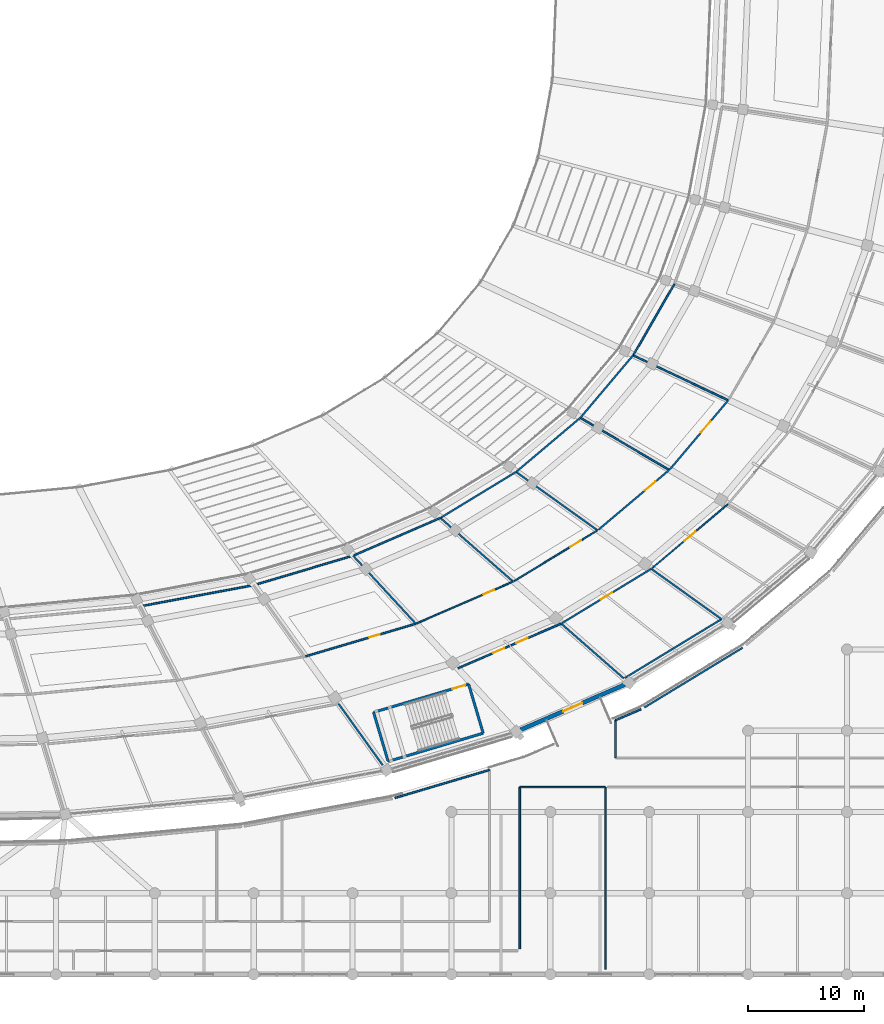
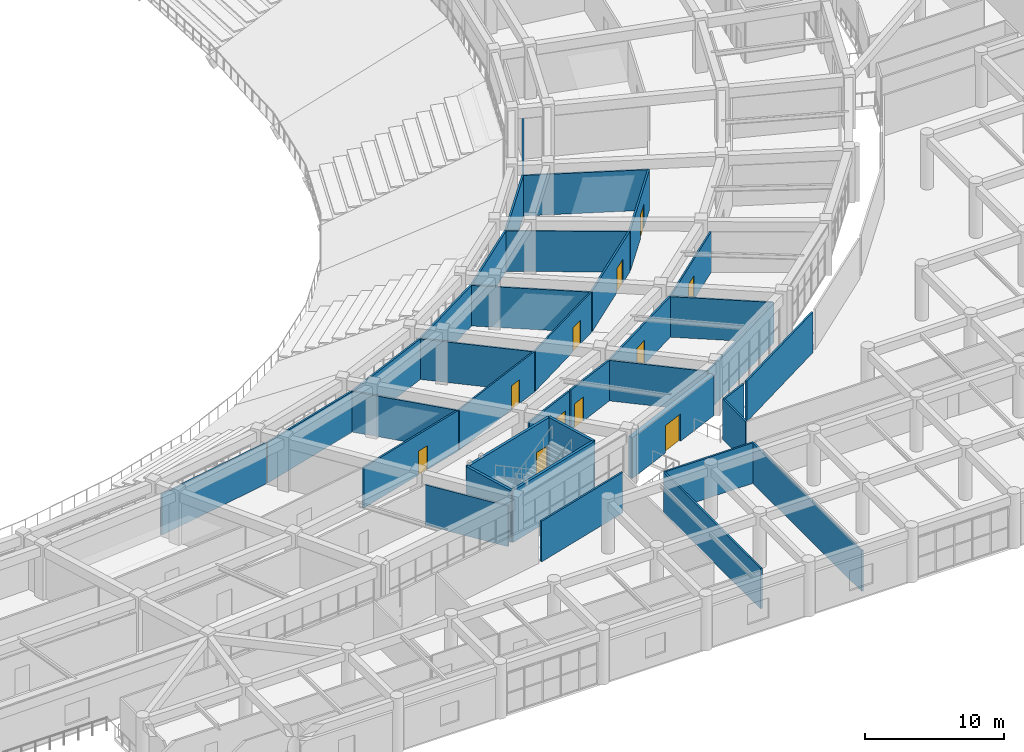
# One storey, part 103 of 152: 37 walls, 11 doors, 11 openings.
"""IFC4 building model written with IfcOpenShell, lengths in metres."""

from ifc_helpers import new_model, si_unit, direction, frame, frame_2d, origin, place, context, subcontext, project, spatial, rectangle, extrude, material, layer, layer_set, type_object, element, fill, save


model = new_model("IFC4")

# Units and contexts
model_context = context("Model", 3, precision=1e-05, world=origin(), true_north=direction((0.0, 1.0)))
body_context = subcontext(model_context, "Body", "Model", "MODEL_VIEW")
ifc_project = project(units=[si_unit("LENGTHUNIT", "METRE"), si_unit("AREAUNIT", "SQUARE_METRE"), si_unit("VOLUMEUNIT", "CUBIC_METRE"), si_unit("PLANEANGLEUNIT", "RADIAN"), si_unit("MASSUNIT", "GRAM", prefix="KILO")], contexts=[model_context])

# Site, building, storey
site_placement = place(None, origin())
site = spatial("IfcSite", under=ifc_project, at=site_placement, CompositionType="ELEMENT")
building_placement = place(site_placement, origin())
building = spatial("IfcBuilding", under=site, at=building_placement, Name="Mphavela Belvedere Stadium", CompositionType="ELEMENT")
storey_placement = place(building_placement, frame((0.0, 0.0, 5.39990234375)))
storey = spatial("IfcBuildingStorey", under=building, at=storey_placement, Name="L01", CompositionType="ELEMENT", Elevation=5.39990234375)

# Walls
ifc_material_1 = material(Name="Concrete C40/50", Category="concrete")
ifc_layer_1 = layer(ifc_material_1, 0.219970703125)
ifc_layer_set_1 = layer_set([ifc_layer_1], Name="Concrete C40/50")
wall_type_1 = type_object("IfcWallType", Name="WAL-CORE-SHEAR-220", PredefinedType="SHEAR", material=ifc_layer_set_1)
wall_1_placement = place(storey_placement, frame((173.10498046875, 20.784912109375, 0.0), z_axis=(0.0, 0.0, 1.0), x_axis=(-0.958675743706, -0.284500998997, 0.0)))
element("IfcWall", 1, at=wall_1_placement, inside=storey, type_object=wall_type_1, Name="Core P04 shear wall L01 rear", PredefinedType="SHEAR", context=body_context, shape_type="SweptSolid", body=[
    extrude(rectangle(XDim=8.540283203125, YDim=0.219970703125, at=frame_2d((4.27001953125, 0.0))), origin(), (0.0, 0.0, 1.0), 4.550048828125),
])
wall_2_placement = place(storey_placement, frame((171.85009765625, 25.0126953125, 0.0), z_axis=(0.0, 0.0, 1.0), x_axis=(0.284548207311, -0.958661732686, 0.0)))
element("IfcWall", 2, at=wall_2_placement, inside=storey, type_object=wall_type_1, Name="Core P04 shear wall L01 left", PredefinedType="SHEAR", context=body_context, shape_type="SweptSolid", body=[
    extrude(rectangle(XDim=4.41015625, YDim=0.219970703125, at=frame_2d((2.205078125, 0.0))), origin(), (0.0, 0.0, 1.0), 4.550048828125),
])
wall_3_placement = place(storey_placement, frame((163.6630859375, 22.5830078125, 0.0), z_axis=(0.0, 0.0, 1.0), x_axis=(0.284497328872, -0.958676832861, 0.0)))
element("IfcWall", 3, at=wall_3_placement, inside=storey, type_object=wall_type_1, Name="Core P04 shear wall L01 right", PredefinedType="SHEAR", context=body_context, shape_type="SweptSolid", body=[
    extrude(rectangle(XDim=4.409912109375, YDim=0.219970703125, at=frame_2d((2.205078125, 0.0))), origin(), (0.0, 0.0, 1.0), 4.550048828125),
])

# Wall, opening, door
wall_4_placement = place(storey_placement, frame((171.85009765625, 25.0126953125, 0.0), z_axis=(0.0, 0.0, 1.0), x_axis=(-0.95867342973, -0.284508796227, 0.0)))
wall_4 = element("IfcWall", 4, at=wall_4_placement, inside=storey, type_object=wall_type_1, Name="Core P04 shear wall L01 front", PredefinedType="SHEAR", context=body_context, shape_type="SweptSolid", body=[
    extrude(rectangle(XDim=8.5400390625, YDim=0.219970703125, at=frame_2d((4.27001953125, 0.0))), origin(), (0.0, 0.0, 1.0), 4.550048828125),
])
opening_1_placement = place(wall_4_placement, frame((0.300048828125, 0.0, 0.0)))
opening_1 = element("IfcOpeningElement", 5, at=opening_1_placement, cuts=wall_4, Name="Opening SD-083", PredefinedType="OPENING", context=body_context, shape_type="SweptSolid", body=[
    extrude(rectangle(XDim=1.14990234375, YDim=2.14990234375, at=frame_2d((0.574951171875, 1.074951171875))), frame((0.0, 0.1201171875, 0.0), z_axis=(0.0, -1.0, 0.0), x_axis=(1.0, 0.0, 0.0)), (0.0, 0.0, 1.0), 0.239990234375),
])
ifc_material_2 = material(Name="Steel acoustic fire-resisting stair doorset", Category="steel")
door_type_1 = type_object("IfcDoorType", Name="DR-STAIR-FIRE-1150", OperationType="NOTDEFINED", PredefinedType="DOOR", material=ifc_material_2)
door_1_placement = place(opening_1_placement, origin())
door_1 = element("IfcDoor", 6, at=door_1_placement, inside=storey, type_object=door_type_1, Name="Escape stair fire door P04 L01", OperationType="SINGLE_SWING_LEFT", OverallHeight=2.14990234375, OverallWidth=1.14990234375, PredefinedType="DOOR", context=body_context, shape_type="SweptSolid", body=[
    extrude(rectangle(XDim=1.14990234375, YDim=2.14990234375, at=frame_2d((0.574951171875, 1.074951171875))), frame((0.0, 0.02490234375, 0.0), z_axis=(0.0, -1.0, 0.0), x_axis=(1.0, 0.0, 0.0)), (0.0, 0.0, 1.0), 0.050048828125),
])
fill(opening_1, door_1)

ifc_material_3 = material(Name="Honed ashlar limestone masonry", Category="masonry")
ifc_layer_2 = layer(ifc_material_3, 0.35009765625)
ifc_layer_set_2 = layer_set([ifc_layer_2], Name="Honed ashlar limestone masonry")
wall_type_2 = type_object("IfcWallType", Name="WAL-EXT-ASHLAR-350", PredefinedType="STANDARD", material=ifc_layer_set_2)
wall_5_placement = place(storey_placement, frame((185.30810546875, 24.970947265625, 0.0), z_axis=(0.0, 0.0, 1.0), x_axis=(-0.91749374913, -0.397750198375, 0.0)))
wall_5 = element("IfcWall", 7, at=wall_5_placement, inside=storey, type_object=wall_type_2, Name="Classical link portal wall L01-41", PredefinedType="STANDARD", context=body_context, shape_type="SweptSolid", body=[
    extrude(rectangle(XDim=9.790283203125, YDim=0.35009765625, at=frame_2d((4.89501953125, 0.0))), origin(), (0.0, 0.0, 1.0), 3.570068359375),
])
opening_2_placement = place(wall_5_placement, frame((3.9951171875, 0.0, 0.0)))
opening_2 = element("IfcOpeningElement", 8, at=opening_2_placement, cuts=wall_5, Name="Opening ID-9140", PredefinedType="OPENING", context=body_context, shape_type="SweptSolid", body=[
    extrude(rectangle(XDim=1.800048828125, YDim=2.39990234375, at=frame_2d((0.89990234375, 1.199951171875))), frame((0.0, 0.18505859375, 0.0), z_axis=(0.0, -1.0, 0.0), x_axis=(1.0, 0.0, 0.0)), (0.0, 0.0, 1.0), 0.3701171875),
])
ifc_material_4 = material(Name="Glazed bronze-anodised steel exit doorset", Category="steel")
door_type_2 = type_object("IfcDoorType", Name="DR-EXT-01", OperationType="NOTDEFINED", PredefinedType="DOOR", material=ifc_material_4)
door_2_placement = place(opening_2_placement, origin())
door_2 = element("IfcDoor", 9, at=door_2_placement, inside=storey, type_object=door_type_2, Name="Wing promenade link doorset L01-41", OperationType="DOUBLE_DOOR_SINGLE_SWING", OverallHeight=2.39990234375, OverallWidth=1.800048828125, PredefinedType="DOOR", context=body_context, shape_type="SweptSolid", body=[
    extrude(rectangle(XDim=1.800048828125, YDim=2.39990234375, at=frame_2d((0.89990234375, 1.199951171875))), frame((0.0, 0.02490234375, 0.0), z_axis=(0.0, -1.0, 0.0), x_axis=(1.0, 0.0, 0.0)), (0.0, 0.0, 1.0), 0.050048828125),
])
fill(opening_2, door_2)

ifc_material_5 = material(Name="Moisture-resistant sanitary partition assembly")
ifc_layer_3 = layer(ifc_material_5, 0.125)
ifc_layer_set_3 = layer_set([ifc_layer_3], Name="Moisture-resistant sanitary partition assembly")
wall_type_3 = type_object("IfcWallType", Name="WAL-PART-125", PredefinedType="PARTITIONING", material=ifc_layer_set_3)
wall_6_placement = place(storey_placement, frame((175.684814453125, 33.84619140625, 0.0), z_axis=(0.0, 0.0, 1.0), x_axis=(-0.917494590455, -0.397748257677, 0.0)))
wall_6 = element("IfcWall", 10, at=wall_6_placement, inside=storey, type_object=wall_type_3, Name="Room L01-139 corridor partition", PredefinedType="PARTITIONING", context=body_context, shape_type="SweptSolid", body=[
    extrude(rectangle(XDim=9.04931640625, YDim=0.125, at=frame_2d((4.524658203125, 0.0))), origin(), (0.0, 0.0, 1.0), 3.550048828125),
])
opening_3_placement = place(wall_6_placement, frame((1.805908203125, 0.0, 0.0)))
opening_3 = element("IfcOpeningElement", 11, at=opening_3_placement, cuts=wall_6, Name="Opening ID-147", PredefinedType="OPENING", context=body_context, shape_type="SweptSolid", body=[
    extrude(rectangle(XDim=0.97998046875, YDim=2.10009765625, at=frame_2d((0.489990234375, 1.050048828125))), frame((0.0, 0.072509765625, 0.0), z_axis=(0.0, -1.0, 0.0), x_axis=(1.0, 0.0, 0.0)), (0.0, 0.0, 1.0), 0.14501953125),
])
ifc_material_6 = material(Name="Hardwood acoustic timber doorset", Category="wood")
door_type_3 = type_object("IfcDoorType", Name="DR-INT-03", OperationType="NOTDEFINED", PredefinedType="DOOR", material=ifc_material_6)
door_3_placement = place(opening_3_placement, origin())
door_3 = element("IfcDoor", 12, at=door_3_placement, inside=storey, type_object=door_type_3, Name="Room L01-139 entrance door ID-147", OperationType="SINGLE_SWING_LEFT", OverallHeight=2.10009765625, OverallWidth=0.97998046875, PredefinedType="DOOR", context=body_context, shape_type="SweptSolid", body=[
    extrude(rectangle(XDim=0.97998046875, YDim=2.10009765625, at=frame_2d((0.489990234375, 1.050048828125))), frame((0.0, 0.02490234375, 0.0), z_axis=(0.0, -1.0, 0.0), x_axis=(1.0, 0.0, 0.0)), (0.0, 0.0, 1.0), 0.050048828125),
])
fill(opening_3, door_3)

wall_7_placement = place(storey_placement, frame((182.95654296875, 38.26025390625, 0.0), z_axis=(0.0, 0.0, 1.0), x_axis=(-0.854330104408, -0.519730769439, 0.0)))
wall_7 = element("IfcWall", 13, at=wall_7_placement, inside=storey, type_object=wall_type_3, Name="Room L01-143 corridor partition", PredefinedType="PARTITIONING", context=body_context, shape_type="SweptSolid", body=[
    extrude(rectangle(XDim=8.420166015625, YDim=0.125, at=frame_2d((4.2099609375, 0.0))), origin(), (0.0, 0.0, 1.0), 3.550048828125),
])
opening_4_placement = place(wall_7_placement, frame((1.656005859375, 0.0, 0.0)))
opening_4 = element("IfcOpeningElement", 14, at=opening_4_placement, cuts=wall_7, Name="Opening ID-150", PredefinedType="OPENING", context=body_context, shape_type="SweptSolid", body=[
    extrude(rectangle(XDim=1.10009765625, YDim=2.10009765625, at=frame_2d((0.550048828125, 1.050048828125))), frame((0.0, 0.072509765625, 0.0), z_axis=(0.0, -1.0, 0.0), x_axis=(1.0, 0.0, 0.0)), (0.0, 0.0, 1.0), 0.14501953125),
])
ifc_material_7 = material(Name="Hardwood acoustic timber doorset", Category="wood")
door_type_4 = type_object("IfcDoorType", Name="DR-INT-06", OperationType="NOTDEFINED", PredefinedType="DOOR", material=ifc_material_7)
door_4_placement = place(opening_4_placement, origin())
door_4 = element("IfcDoor", 15, at=door_4_placement, inside=storey, type_object=door_type_4, Name="Room L01-143 entrance door ID-150", OperationType="SINGLE_SWING_RIGHT", OverallHeight=2.10009765625, OverallWidth=1.10009765625, PredefinedType="DOOR", context=body_context, shape_type="SweptSolid", body=[
    extrude(rectangle(XDim=1.10009765625, YDim=2.10009765625, at=frame_2d((0.550048828125, 1.050048828125))), frame((0.0, 0.02490234375, 0.0), z_axis=(0.0, -1.0, 0.0), x_axis=(1.0, 0.0, 0.0)), (0.0, 0.0, 1.0), 0.050048828125),
])
fill(opening_4, door_4)

wall_8_placement = place(storey_placement, frame((187.649169921875, 34.996337890625, 0.0), z_axis=(0.0, 0.0, 1.0), x_axis=(0.764257572309, 0.644911128117, 0.0)))
wall_8 = element("IfcWall", 16, at=wall_8_placement, inside=storey, type_object=wall_type_3, Name="Room L01-147 corridor partition", PredefinedType="PARTITIONING", context=body_context, shape_type="SweptSolid", body=[
    extrude(rectangle(XDim=8.53857421875, YDim=0.125, at=frame_2d((4.269287109375, 0.0))), origin(), (0.0, 0.0, 1.0), 3.550048828125),
])
opening_5_placement = place(wall_8_placement, frame((3.6591796875, 0.0, 0.0)))
opening_5 = element("IfcOpeningElement", 17, at=opening_5_placement, cuts=wall_8, Name="Opening ID-153", PredefinedType="OPENING", context=body_context, shape_type="SweptSolid", body=[
    extrude(rectangle(XDim=1.219970703125, YDim=2.10009765625, at=frame_2d((0.60986328125, 1.050048828125))), frame((0.0, 0.072509765625, 0.0), z_axis=(0.0, -1.0, 0.0), x_axis=(1.0, 0.0, 0.0)), (0.0, 0.0, 1.0), 0.14501953125),
])
ifc_material_8 = material(Name="Hardwood acoustic timber doorset", Category="wood")
door_type_5 = type_object("IfcDoorType", Name="DR-INT-09", OperationType="NOTDEFINED", PredefinedType="DOOR", material=ifc_material_8)
door_5_placement = place(opening_5_placement, origin())
door_5 = element("IfcDoor", 18, at=door_5_placement, inside=storey, type_object=door_type_5, Name="Room L01-147 entrance door ID-153", OperationType="SINGLE_SWING_LEFT", OverallHeight=2.10009765625, OverallWidth=1.219970703125, PredefinedType="DOOR", context=body_context, shape_type="SweptSolid", body=[
    extrude(rectangle(XDim=1.219970703125, YDim=2.10009765625, at=frame_2d((0.60986328125, 1.050048828125))), frame((0.0, 0.02490234375, 0.0), z_axis=(0.0, -1.0, 0.0), x_axis=(1.0, 0.0, 0.0)), (0.0, 0.0, 1.0), 0.050048828125),
])
fill(opening_5, door_5)

ifc_material_9 = material(Name="Acoustic gypsum stud partition assembly")
ifc_layer_4 = layer(ifc_material_9, 0.14990234375)
ifc_layer_set_4 = layer_set([ifc_layer_4], Name="Acoustic gypsum stud partition assembly")
wall_type_4 = type_object("IfcWallType", Name="WAL-PART-150", PredefinedType="PARTITIONING", material=ifc_layer_set_4)
wall_9_placement = place(storey_placement, frame((167.298828125, 30.218994140625, 0.0), z_axis=(0.0, 0.0, 1.0), x_axis=(-0.958655809656, -0.284568161629, 0.0)))
wall_9 = element("IfcWall", 19, at=wall_9_placement, inside=storey, type_object=wall_type_4, Name="Room L01-137 corridor partition", PredefinedType="PARTITIONING", context=body_context, shape_type="SweptSolid", body=[
    extrude(rectangle(XDim=9.89111328125, YDim=0.14990234375, at=frame_2d((4.945556640625, 0.0))), origin(), (0.0, 0.0, 1.0), 3.550048828125),
])
opening_6_placement = place(wall_9_placement, frame((3.22900390625, 0.0, 0.0)))
opening_6 = element("IfcOpeningElement", 20, at=opening_6_placement, cuts=wall_9, Name="Opening ID-146", PredefinedType="OPENING", context=body_context, shape_type="SweptSolid", body=[
    extrude(rectangle(XDim=0.93994140625, YDim=2.10009765625, at=frame_2d((0.469970703125, 1.050048828125))), frame((0.0, 0.0849609375, 0.0), z_axis=(0.0, -1.0, 0.0), x_axis=(1.0, 0.0, 0.0)), (0.0, 0.0, 1.0), 0.169921875),
])
ifc_material_10 = material(Name="Hardwood acoustic timber doorset", Category="wood")
door_type_6 = type_object("IfcDoorType", Name="DR-INT-02", OperationType="NOTDEFINED", PredefinedType="DOOR", material=ifc_material_10)
door_6_placement = place(opening_6_placement, origin())
door_6 = element("IfcDoor", 21, at=door_6_placement, inside=storey, type_object=door_type_6, Name="Room L01-137 entrance door ID-146", OperationType="SINGLE_SWING_RIGHT", OverallHeight=2.10009765625, OverallWidth=0.93994140625, PredefinedType="DOOR", context=body_context, shape_type="SweptSolid", body=[
    extrude(rectangle(XDim=0.93994140625, YDim=2.10009765625, at=frame_2d((0.469970703125, 1.050048828125))), frame((0.0, 0.02490234375, 0.0), z_axis=(0.0, -1.0, 0.0), x_axis=(1.0, 0.0, 0.0)), (0.0, 0.0, 1.0), 0.050048828125),
])
fill(opening_6, door_6)

wall_10_placement = place(storey_placement, frame((170.9462890625, 26.38134765625, 0.0), z_axis=(0.0, 0.0, 1.0), x_axis=(0.917504308061, 0.397725841114, 0.0)))
wall_10 = element("IfcWall", 22, at=wall_10_placement, inside=storey, type_object=wall_type_4, Name="Room L01-140 corridor partition", PredefinedType="PARTITIONING", context=body_context, shape_type="SweptSolid", body=[
    extrude(rectangle(XDim=4.802734375, YDim=0.14990234375, at=frame_2d((2.4013671875, 0.0))), origin(), (0.0, 0.0, 1.0), 3.550048828125),
])
opening_7_placement = place(wall_10_placement, frame((3.3056640625, 0.0, 0.0)))
opening_7 = element("IfcOpeningElement", 23, at=opening_7_placement, cuts=wall_10, Name="Opening ID-148", PredefinedType="OPENING", context=body_context, shape_type="SweptSolid", body=[
    extrude(rectangle(XDim=1.02001953125, YDim=2.10009765625, at=frame_2d((0.510009765625, 1.050048828125))), frame((0.0, 0.0849609375, 0.0), z_axis=(0.0, -1.0, 0.0), x_axis=(1.0, 0.0, 0.0)), (0.0, 0.0, 1.0), 0.169921875),
])
ifc_material_11 = material(Name="Hardwood acoustic timber doorset", Category="wood")
door_type_7 = type_object("IfcDoorType", Name="DR-INT-04", OperationType="NOTDEFINED", PredefinedType="DOOR", material=ifc_material_11)
door_7_placement = place(opening_7_placement, origin())
door_7 = element("IfcDoor", 24, at=door_7_placement, inside=storey, type_object=door_type_7, Name="Room L01-140 entrance door ID-148", OperationType="SINGLE_SWING_RIGHT", OverallHeight=2.10009765625, OverallWidth=1.02001953125, PredefinedType="DOOR", context=body_context, shape_type="SweptSolid", body=[
    extrude(rectangle(XDim=1.02001953125, YDim=2.10009765625, at=frame_2d((0.510009765625, 1.050048828125))), frame((0.0, 0.02490234375, 0.0), z_axis=(0.0, -1.0, 0.0), x_axis=(1.0, 0.0, 0.0)), (0.0, 0.0, 1.0), 0.050048828125),
])
fill(opening_7, door_7)

wall_11_placement = place(storey_placement, frame((175.5126953125, 28.36083984375, 0.0), z_axis=(0.0, 0.0, 1.0), x_axis=(0.917515143301, 0.397700844622, 0.0)))
wall_11 = element("IfcWall", 25, at=wall_11_placement, inside=storey, type_object=wall_type_4, Name="Room L01-141 corridor partition", PredefinedType="PARTITIONING", context=body_context, shape_type="SweptSolid", body=[
    extrude(rectangle(XDim=4.6943359375, YDim=0.14990234375, at=frame_2d((2.34716796875, 0.0))), origin(), (0.0, 0.0, 1.0), 3.550048828125),
])
opening_8_placement = place(wall_11_placement, frame((0.4697265625, 0.0, 0.0)))
opening_8 = element("IfcOpeningElement", 26, at=opening_8_placement, cuts=wall_11, Name="Opening ID-149", PredefinedType="OPENING", context=body_context, shape_type="SweptSolid", body=[
    extrude(rectangle(XDim=1.06005859375, YDim=2.10009765625, at=frame_2d((0.530029296875, 1.050048828125))), frame((0.0, 0.0849609375, 0.0), z_axis=(0.0, -1.0, 0.0), x_axis=(1.0, 0.0, 0.0)), (0.0, 0.0, 1.0), 0.169921875),
])
ifc_material_12 = material(Name="Hardwood acoustic timber doorset", Category="wood")
door_type_8 = type_object("IfcDoorType", Name="DR-INT-05", OperationType="NOTDEFINED", PredefinedType="DOOR", material=ifc_material_12)
door_8_placement = place(opening_8_placement, origin())
door_8 = element("IfcDoor", 27, at=door_8_placement, inside=storey, type_object=door_type_8, Name="Room L01-141 entrance door ID-149", OperationType="SINGLE_SWING_LEFT", OverallHeight=2.10009765625, OverallWidth=1.06005859375, PredefinedType="DOOR", context=body_context, shape_type="SweptSolid", body=[
    extrude(rectangle(XDim=1.06005859375, YDim=2.10009765625, at=frame_2d((0.530029296875, 1.050048828125))), frame((0.0, 0.02490234375, 0.0), z_axis=(0.0, -1.0, 0.0), x_axis=(1.0, 0.0, 0.0)), (0.0, 0.0, 1.0), 0.050048828125),
])
fill(opening_8, door_8)

wall_12_placement = place(storey_placement, frame((179.89453125, 30.268798828125, 0.0), z_axis=(0.0, 0.0, 1.0), x_axis=(0.854321649351, 0.519744667554, 0.0)))
wall_12 = element("IfcWall", 28, at=wall_12_placement, inside=storey, type_object=wall_type_4, Name="Room L01-144 corridor partition", PredefinedType="PARTITIONING", context=body_context, shape_type="SweptSolid", body=[
    extrude(rectangle(XDim=8.99853515625, YDim=0.14990234375, at=frame_2d((4.499267578125, 0.0))), origin(), (0.0, 0.0, 1.0), 3.550048828125),
])
opening_9_placement = place(wall_12_placement, frame((3.92919921875, 0.0, 0.0)))
opening_9 = element("IfcOpeningElement", 29, at=opening_9_placement, cuts=wall_12, Name="Opening ID-151", PredefinedType="OPENING", context=body_context, shape_type="SweptSolid", body=[
    extrude(rectangle(XDim=1.139892578125, YDim=2.10009765625, at=frame_2d((0.56982421875, 1.050048828125))), frame((0.0, 0.0849609375, 0.0), z_axis=(0.0, -1.0, 0.0), x_axis=(1.0, 0.0, 0.0)), (0.0, 0.0, 1.0), 0.169921875),
])
ifc_material_13 = material(Name="Hardwood acoustic timber doorset", Category="wood")
door_type_9 = type_object("IfcDoorType", Name="DR-INT-07", OperationType="NOTDEFINED", PredefinedType="DOOR", material=ifc_material_13)
door_9_placement = place(opening_9_placement, origin())
door_9 = element("IfcDoor", 30, at=door_9_placement, inside=storey, type_object=door_type_9, Name="Room L01-144 entrance door ID-151", OperationType="SINGLE_SWING_LEFT", OverallHeight=2.10009765625, OverallWidth=1.139892578125, PredefinedType="DOOR", context=body_context, shape_type="SweptSolid", body=[
    extrude(rectangle(XDim=1.139892578125, YDim=2.10009765625, at=frame_2d((0.56982421875, 1.050048828125))), frame((0.0, 0.02490234375, 0.0), z_axis=(0.0, -1.0, 0.0), x_axis=(1.0, 0.0, 0.0)), (0.0, 0.0, 1.0), 0.050048828125),
])
fill(opening_9, door_9)

wall_13_placement = place(storey_placement, frame((189.133056640625, 43.460693359375, 0.0), z_axis=(0.0, 0.0, 1.0), x_axis=(-0.764249122867, -0.644921141068, 0.0)))
wall_13 = element("IfcWall", 31, at=wall_13_placement, inside=storey, type_object=wall_type_4, Name="Room L01-146 corridor partition", PredefinedType="PARTITIONING", context=body_context, shape_type="SweptSolid", body=[
    extrude(rectangle(XDim=7.989501953125, YDim=0.14990234375, at=frame_2d((3.99462890625, 0.0))), origin(), (0.0, 0.0, 1.0), 3.550048828125),
])
opening_10_placement = place(wall_13_placement, frame((1.553955078125, 0.0, 0.0)))
opening_10 = element("IfcOpeningElement", 32, at=opening_10_placement, cuts=wall_13, Name="Opening ID-152", PredefinedType="OPENING", context=body_context, shape_type="SweptSolid", body=[
    extrude(rectangle(XDim=1.179931640625, YDim=2.10009765625, at=frame_2d((0.58984375, 1.050048828125))), frame((0.0, 0.0849609375, 0.0), z_axis=(0.0, -1.0, 0.0), x_axis=(1.0, 0.0, 0.0)), (0.0, 0.0, 1.0), 0.169921875),
])
ifc_material_14 = material(Name="Hardwood acoustic timber doorset", Category="wood")
door_type_10 = type_object("IfcDoorType", Name="DR-INT-08", OperationType="NOTDEFINED", PredefinedType="DOOR", material=ifc_material_14)
door_10_placement = place(opening_10_placement, origin())
door_10 = element("IfcDoor", 33, at=door_10_placement, inside=storey, type_object=door_type_10, Name="Room L01-146 entrance door ID-152", OperationType="SINGLE_SWING_RIGHT", OverallHeight=2.10009765625, OverallWidth=1.179931640625, PredefinedType="DOOR", context=body_context, shape_type="SweptSolid", body=[
    extrude(rectangle(XDim=1.179931640625, YDim=2.10009765625, at=frame_2d((0.58984375, 1.050048828125))), frame((0.0, 0.02490234375, 0.0), z_axis=(0.0, -1.0, 0.0), x_axis=(1.0, 0.0, 0.0)), (0.0, 0.0, 1.0), 0.050048828125),
])
fill(opening_10, door_10)

wall_14_placement = place(storey_placement, frame((194.212158203125, 49.4619140625, 0.0), z_axis=(0.0, 0.0, 1.0), x_axis=(-0.645180817826, -0.764029915847, 0.0)))
wall_14 = element("IfcWall", 34, at=wall_14_placement, inside=storey, type_object=wall_type_4, Name="Room L01-149 corridor partition", PredefinedType="PARTITIONING", context=body_context, shape_type="SweptSolid", body=[
    extrude(rectangle(XDim=7.779296875, YDim=0.14990234375, at=frame_2d((3.8896484375, 0.0))), origin(), (0.0, 0.0, 1.0), 3.550048828125),
])
opening_11_placement = place(wall_14_placement, frame((2.377685546875, 0.0, 0.0)))
opening_11 = element("IfcOpeningElement", 35, at=opening_11_placement, cuts=wall_14, Name="Opening ID-154", PredefinedType="OPENING", context=body_context, shape_type="SweptSolid", body=[
    extrude(rectangle(XDim=1.260009765625, YDim=2.10009765625, at=frame_2d((0.6298828125, 1.050048828125))), frame((0.0, 0.0849609375, 0.0), z_axis=(0.0, -1.0, 0.0), x_axis=(1.0, 0.0, 0.0)), (0.0, 0.0, 1.0), 0.169921875),
])
ifc_material_15 = material(Name="Hardwood acoustic timber doorset", Category="wood")
door_type_11 = type_object("IfcDoorType", Name="DR-INT-10", OperationType="NOTDEFINED", PredefinedType="DOOR", material=ifc_material_15)
door_11_placement = place(opening_11_placement, origin())
door_11 = element("IfcDoor", 36, at=door_11_placement, inside=storey, type_object=door_type_11, Name="Room L01-149 entrance door ID-154", OperationType="SINGLE_SWING_RIGHT", OverallHeight=2.10009765625, OverallWidth=1.260009765625, PredefinedType="DOOR", context=body_context, shape_type="SweptSolid", body=[
    extrude(rectangle(XDim=1.260009765625, YDim=2.10009765625, at=frame_2d((0.6298828125, 1.050048828125))), frame((0.0, 0.02490234375, 0.0), z_axis=(0.0, -1.0, 0.0), x_axis=(1.0, 0.0, 0.0)), (0.0, 0.0, 1.0), 0.050048828125),
])
fill(opening_11, door_11)

# Walls
wall_15_placement = place(storey_placement, frame((143.599365234375, 31.72314453125, 0.0), z_axis=(0.0, 0.0, 1.0), x_axis=(0.98309647403, 0.183088292225, 0.0)))
element("IfcWall", 37, at=wall_15_placement, inside=storey, type_object=wall_type_4, Name="Room divider partition L01-0255", PredefinedType="PARTITIONING", context=body_context, shape_type="SweptSolid", body=[
    extrude(rectangle(XDim=9.8876953125, YDim=0.14990234375, at=frame_2d((4.94384765625, 0.0))), origin(), (0.0, 0.0, 1.0), 3.550048828125),
])
wall_16_placement = place(storey_placement, frame((160.64892578125, 23.3203125, 0.0), z_axis=(0.0, 0.0, 1.0), x_axis=(0.58306104439, -0.812428346696, 0.0)))
element("IfcWall", 38, at=wall_16_placement, inside=storey, type_object=wall_type_4, Name="Room divider partition L01-0257", PredefinedType="PARTITIONING", context=body_context, shape_type="SweptSolid", body=[
    extrude(rectangle(XDim=6.51953125, YDim=0.14990234375, at=frame_2d((3.259765625, 0.0))), origin(), (0.0, 0.0, 1.0), 3.550048828125),
])
wall_17_placement = place(storey_placement, frame((153.40283203125, 33.55517578125, 0.0), z_axis=(0.0, 0.0, 1.0), x_axis=(0.958654852333, 0.284571386646, 0.0)))
element("IfcWall", 39, at=wall_17_placement, inside=storey, type_object=wall_type_4, Name="Room divider partition L01-0258", PredefinedType="PARTITIONING", context=body_context, shape_type="SweptSolid", body=[
    extrude(rectangle(XDim=8.861572265625, YDim=0.14990234375, at=frame_2d((4.4306640625, 0.0))), origin(), (0.0, 0.0, 1.0), 3.550048828125),
])
wall_18_placement = place(storey_placement, frame((161.89794921875, 36.076904296875, 0.0), z_axis=(0.0, 0.0, 1.0), x_axis=(0.677844741579, -0.735205077726, 0.0)))
element("IfcWall", 40, at=wall_18_placement, inside=storey, type_object=wall_type_4, Name="Room divider partition L01-0259", PredefinedType="PARTITIONING", context=body_context, shape_type="SweptSolid", body=[
    extrude(rectangle(XDim=7.9677734375, YDim=0.14990234375, at=frame_2d((3.98388671875, 0.0))), origin(), (0.0, 0.0, 1.0), 3.550048828125),
])
wall_19_placement = place(storey_placement, frame((161.97802734375, 36.10791015625, 0.0), z_axis=(0.0, 0.0, 1.0), x_axis=(0.917496646276, 0.397743515436, 0.0)))
element("IfcWall", 41, at=wall_19_placement, inside=storey, type_object=wall_type_4, Name="Room divider partition L01-0260", PredefinedType="PARTITIONING", context=body_context, shape_type="SweptSolid", body=[
    extrude(rectangle(XDim=8.10595703125, YDim=0.14990234375, at=frame_2d((4.052978515625, 0.0))), origin(), (0.0, 0.0, 1.0), 3.550048828125),
])
wall_20_placement = place(storey_placement, frame((169.415283203125, 39.33203125, 0.0), z_axis=(0.0, 0.0, 1.0), x_axis=(0.752576694707, -0.658504607869, 0.0)))
element("IfcWall", 42, at=wall_20_placement, inside=storey, type_object=wall_type_4, Name="Room divider partition L01-0261", PredefinedType="PARTITIONING", context=body_context, shape_type="SweptSolid", body=[
    extrude(rectangle(XDim=8.330810546875, YDim=0.14990234375, at=frame_2d((4.16552734375, 0.0))), origin(), (0.0, 0.0, 1.0), 3.550048828125),
])
wall_21_placement = place(storey_placement, frame((179.81982421875, 30.227783203125, 0.0), z_axis=(0.0, 0.0, 1.0), x_axis=(0.752576694707, -0.658504607869, 0.0)))
element("IfcWall", 43, at=wall_21_placement, inside=storey, type_object=wall_type_4, Name="Room divider partition L01-0262", PredefinedType="PARTITIONING", context=body_context, shape_type="SweptSolid", body=[
    extrude(rectangle(XDim=7.178466796875, YDim=0.14990234375, at=frame_2d((3.58935546875, 0.0))), origin(), (0.0, 0.0, 1.0), 3.550048828125),
])
wall_22_placement = place(storey_placement, frame((169.489990234375, 39.373046875, 0.0), z_axis=(0.0, 0.0, 1.0), x_axis=(0.854343551339, 0.519708664817, 0.0)))
element("IfcWall", 44, at=wall_22_placement, inside=storey, type_object=wall_type_4, Name="Room divider partition L01-0263", PredefinedType="PARTITIONING", context=body_context, shape_type="SweptSolid", body=[
    extrude(rectangle(XDim=7.54150390625, YDim=0.14990234375, at=frame_2d((3.770751953125, 0.0))), origin(), (0.0, 0.0, 1.0), 3.550048828125),
])
wall_23_placement = place(storey_placement, frame((175.93310546875, 43.29248046875, 0.0), z_axis=(0.0, 0.0, 1.0), x_axis=(0.812884908791, -0.582424351363, 0.0)))
element("IfcWall", 45, at=wall_23_placement, inside=storey, type_object=wall_type_4, Name="Room divider partition L01-0264", PredefinedType="PARTITIONING", context=body_context, shape_type="SweptSolid", body=[
    extrude(rectangle(XDim=8.64013671875, YDim=0.14990234375, at=frame_2d((4.320068359375, 0.0))), origin(), (0.0, 0.0, 1.0), 3.550048828125),
])
wall_24_placement = place(storey_placement, frame((187.582275390625, 34.94580078125, 0.0), z_axis=(0.0, 0.0, 1.0), x_axis=(0.812888534941, -0.582419290342, 0.0)))
element("IfcWall", 46, at=wall_24_placement, inside=storey, type_object=wall_type_4, Name="Room divider partition L01-0265", PredefinedType="PARTITIONING", context=body_context, shape_type="SweptSolid", body=[
    extrude(rectangle(XDim=7.446044921875, YDim=0.14990234375, at=frame_2d((3.72314453125, 0.0))), origin(), (0.0, 0.0, 1.0), 3.550048828125),
])
wall_25_placement = place(storey_placement, frame((193.635009765625, 30.609130859375, 0.0), z_axis=(0.0, 0.0, 1.0), x_axis=(-0.854323689683, -0.519741313777, 0.0)))
element("IfcWall", 47, at=wall_25_placement, inside=storey, type_object=wall_type_4, Name="Room divider partition L01-0266", PredefinedType="PARTITIONING", context=body_context, shape_type="SweptSolid", body=[
    extrude(rectangle(XDim=9.755859375, YDim=0.14990234375, at=frame_2d((4.8779296875, 0.0))), origin(), (0.0, 0.0, 1.0), 3.550048828125),
])
wall_26_placement = place(storey_placement, frame((176.0, 43.343017578125, 0.0), z_axis=(0.0, 0.0, 1.0), x_axis=(0.764260476561, 0.644907686391, 0.0)))
element("IfcWall", 48, at=wall_26_placement, inside=storey, type_object=wall_type_4, Name="Room divider partition L01-0267", PredefinedType="PARTITIONING", context=body_context, shape_type="SweptSolid", body=[
    extrude(rectangle(XDim=7.1552734375, YDim=0.14990234375, at=frame_2d((3.57763671875, 0.0))), origin(), (0.0, 0.0, 1.0), 3.550048828125),
])
wall_27_placement = place(storey_placement, frame((181.468505859375, 47.95751953125, 0.0), z_axis=(0.0, 0.0, 1.0), x_axis=(0.862510676199, -0.506038865545, 0.0)))
element("IfcWall", 49, at=wall_27_placement, inside=storey, type_object=wall_type_4, Name="Room divider partition L01-0268", PredefinedType="PARTITIONING", context=body_context, shape_type="SweptSolid", body=[
    extrude(rectangle(XDim=8.88623046875, YDim=0.14990234375, at=frame_2d((4.443115234375, 0.0))), origin(), (0.0, 0.0, 1.0), 3.550048828125),
])
wall_28_placement = place(storey_placement, frame((181.525390625, 48.016845703125, 0.0), z_axis=(0.0, 0.0, 1.0), x_axis=(0.64516899819, 0.764039896716, 0.0)))
element("IfcWall", 50, at=wall_28_placement, inside=storey, type_object=wall_type_4, Name="Room divider partition L01-0271", PredefinedType="PARTITIONING", context=body_context, shape_type="SweptSolid", body=[
    extrude(rectangle(XDim=6.966552734375, YDim=0.14990234375, at=frame_2d((3.4833984375, 0.0))), origin(), (0.0, 0.0, 1.0), 3.550048828125),
])
wall_29_placement = place(storey_placement, frame((186.02001953125, 53.339599609375, 0.0), z_axis=(0.0, 0.0, 1.0), x_axis=(0.903857372861, -0.427833904132, 0.0)))
element("IfcWall", 51, at=wall_29_placement, inside=storey, type_object=wall_type_4, Name="Room divider partition L01-0272", PredefinedType="PARTITIONING", context=body_context, shape_type="SweptSolid", body=[
    extrude(rectangle(XDim=9.0634765625, YDim=0.14990234375, at=frame_2d((4.53173828125, 0.0))), origin(), (0.0, 0.0, 1.0), 3.550048828125),
])
wall_30_placement = place(storey_placement, frame((186.065673828125, 53.406494140625, 0.0), z_axis=(0.0, 0.0, 1.0), x_axis=(0.500549390525, 0.865707980583, 0.0)))
element("IfcWall", 52, at=wall_30_placement, inside=storey, type_object=wall_type_4, Name="Room divider partition L01-0275", PredefinedType="PARTITIONING", context=body_context, shape_type="SweptSolid", body=[
    extrude(rectangle(XDim=7.01806640625, YDim=0.14990234375, at=frame_2d((3.509033203125, 0.0))), origin(), (0.0, 0.0, 1.0), 3.550048828125),
])
wall_31_placement = place(storey_placement, frame((176.260009765625, 2.199951171875, 0.0), z_axis=(0.0, 0.0, 1.0), x_axis=(0.0, 1.0, 0.0)))
element("IfcWall", 53, at=wall_31_placement, inside=storey, type_object=wall_type_4, Name="Room divider partition L01-0715", PredefinedType="PARTITIONING", context=body_context, shape_type="SweptSolid", body=[
    extrude(rectangle(XDim=13.93994140625, YDim=0.14990234375, at=frame_2d((6.969970703125, 0.0))), origin(), (0.0, 0.0, 1.0), 3.550048828125),
])
wall_32_placement = place(storey_placement, frame((176.260009765625, 16.139892578125, 0.0), z_axis=(0.0, 0.0, 1.0), x_axis=(1.0, 0.0, 0.0)))
element("IfcWall", 54, at=wall_32_placement, inside=storey, type_object=wall_type_4, Name="Room divider partition L01-0716", PredefinedType="PARTITIONING", context=body_context, shape_type="SweptSolid", body=[
    extrude(rectangle(XDim=7.369873046875, YDim=0.14990234375, at=frame_2d((3.68505859375, 0.0))), origin(), (0.0, 0.0, 1.0), 3.550048828125),
])
wall_33_placement = place(storey_placement, frame((183.6298828125, 16.139892578125, 0.0), z_axis=(0.0, 0.0, 1.0), x_axis=(0.0, -1.0, 0.0)))
element("IfcWall", 55, at=wall_33_placement, inside=storey, type_object=wall_type_4, Name="Room divider partition L01-0717", PredefinedType="PARTITIONING", context=body_context, shape_type="SweptSolid", body=[
    extrude(rectangle(XDim=15.68994140625, YDim=0.14990234375, at=frame_2d((7.844970703125, 0.0))), origin(), (0.0, 0.0, 1.0), 3.550048828125),
])
wall_34_placement = place(storey_placement, frame((184.510009765625, 18.659912109375, 0.0), z_axis=(0.0, 0.0, 1.0), x_axis=(0.0, 1.0, 0.0)))
element("IfcWall", 56, at=wall_34_placement, inside=storey, type_object=wall_type_4, Name="Room divider partition L01-0720", PredefinedType="PARTITIONING", context=body_context, shape_type="SweptSolid", body=[
    extrude(rectangle(XDim=3.240234375, YDim=0.14990234375, at=frame_2d((1.6201171875, 0.0))), origin(), (0.0, 0.0, 1.0), 3.550048828125),
])
wall_35_placement = place(storey_placement, frame((184.510009765625, 21.900146484375, 0.0), z_axis=(0.0, 0.0, 1.0), x_axis=(0.917484400903, 0.397771761314, 0.0)))
element("IfcWall", 57, at=wall_35_placement, inside=storey, type_object=wall_type_4, Name="Room divider partition L01-0721", PredefinedType="PARTITIONING", context=body_context, shape_type="SweptSolid", body=[
    extrude(rectangle(XDim=2.37646484375, YDim=0.14990234375, at=frame_2d((1.188232421875, 0.0))), origin(), (0.0, 0.0, 1.0), 3.550048828125),
])
wall_36_placement = place(storey_placement, frame((186.99560546875, 23.00341796875, 0.0), z_axis=(0.0, 0.0, 1.0), x_axis=(0.854333268174, 0.519725568826, 0.0)))
element("IfcWall", 58, at=wall_36_placement, inside=storey, type_object=wall_type_4, Name="Room divider partition L01-0722", PredefinedType="PARTITIONING", context=body_context, shape_type="SweptSolid", body=[
    extrude(rectangle(XDim=9.90185546875, YDim=0.14990234375, at=frame_2d((4.950927734375, 0.0))), origin(), (0.0, 0.0, 1.0), 3.550048828125),
])
wall_37_placement = place(storey_placement, frame((165.5126953125, 15.20654296875, 0.0), z_axis=(0.0, 0.0, 1.0), x_axis=(0.95866000112, 0.284554041006, 0.0)))
element("IfcWall", 59, at=wall_37_placement, inside=storey, type_object=wall_type_4, Name="Room divider partition L01-0743", PredefinedType="PARTITIONING", context=body_context, shape_type="SweptSolid", body=[
    extrude(rectangle(XDim=8.477783203125, YDim=0.14990234375, at=frame_2d((4.23876953125, 0.0))), origin(), (0.0, 0.0, 1.0), 3.550048828125),
])

save(model, "model.ifc")
